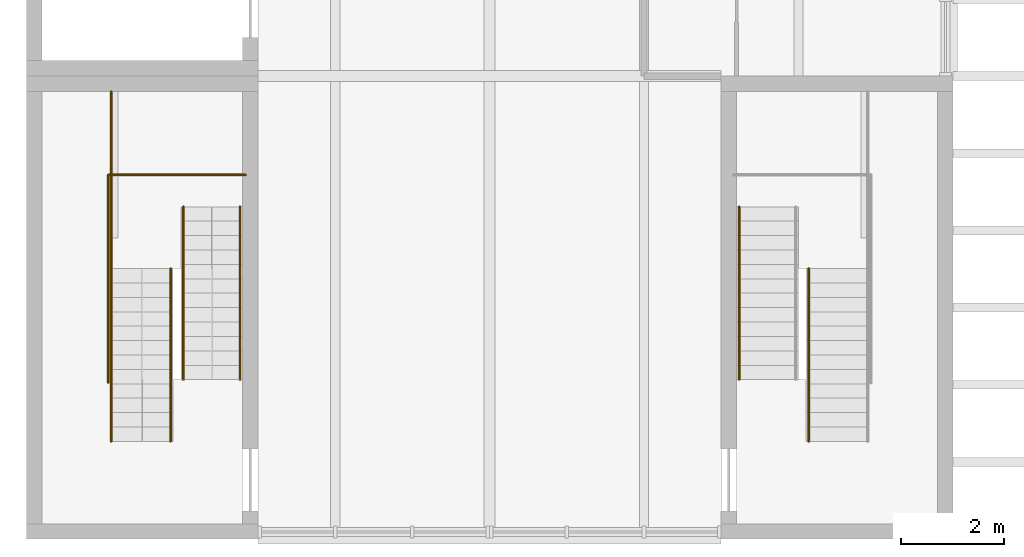
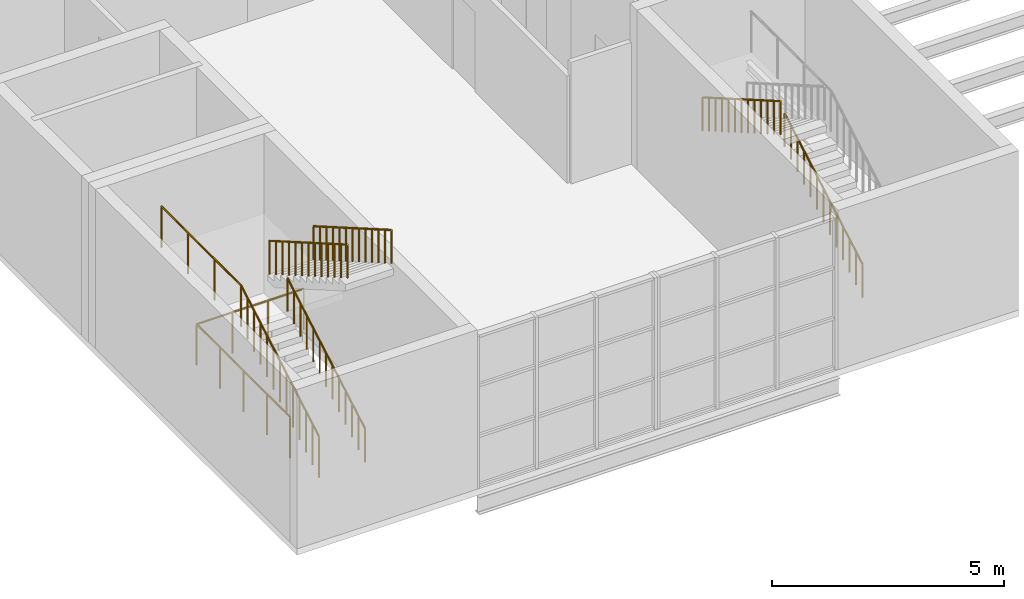
# One storey, part 48 of 57: 8 railings.
"""IFC4 building model written with IfcOpenShell, lengths in metres."""

from ifc_helpers import new_model, si_unit, direction, frame, origin, origin_2d, place, context, subcontext, project, spatial, circle, extrude, material, type_object, element, save


model = new_model("IFC4")

# Units and contexts
model_context = context("Model", 3, precision=1e-05, world=origin(), true_north=direction((0.0, 1.0)))
body_context = subcontext(model_context, "Body", "Model", "MODEL_VIEW")
ifc_project = project(units=[si_unit("LENGTHUNIT", "METRE"), si_unit("AREAUNIT", "SQUARE_METRE"), si_unit("VOLUMEUNIT", "CUBIC_METRE"), si_unit("PLANEANGLEUNIT", "RADIAN"), si_unit("MASSUNIT", "GRAM", prefix="KILO")], contexts=[model_context])

# Site, building, storey
site_placement = place(None, origin())
site = spatial("IfcSite", under=ifc_project, at=site_placement, CompositionType="ELEMENT")
building_placement = place(site_placement, origin())
building = spatial("IfcBuilding", under=site, at=building_placement, Name="Halyard Row Museum", CompositionType="ELEMENT")
storey_placement = place(building_placement, frame((0.0, 0.0, 5.0)))
storey = spatial("IfcBuildingStorey", under=building, at=storey_placement, Name="L01", CompositionType="ELEMENT", Elevation=5.0)

# Railings
ifc_material_1 = material(Name="Steel Grade 300", Category="steel")
railing_type_1 = type_object("IfcRailingType", Name="Guard GR2 steel balustrade 1100", PredefinedType="GUARDRAIL", material=ifc_material_1)
railing_1_placement = place(storey_placement, frame((1.64990234375, 1.89990234375, 0.16162109375)))
element("IfcRailing", 1, at=railing_1_placement, inside=storey, type_object=railing_type_1, Name="Guard GR088", PredefinedType="GUARDRAIL", context=body_context, shape_type="SweptSolid", body=[
    extrude(circle(Radius=0.02392578125, at=origin_2d()), frame((0.0, 0.0, 1.076171875), z_axis=(0.0, 0.866424426198, 0.49930823515), x_axis=(-1.0, 0.0, 0.0)), (0.0, 0.0, 1.0), 0.3232421875),
    extrude(circle(Radius=0.02392578125, at=origin_2d()), frame((0.0, 0.280029296875, 1.2373046875), z_axis=(0.0, 0.86609757561, 0.499874973892), x_axis=(-1.0, 0.0, 0.0)), (0.0, 0.0, 1.0), 0.3232421875),
    extrude(circle(Radius=0.02392578125, at=origin_2d()), frame((0.0, 0.56005859375, 1.39892578125), z_axis=(0.0, 0.86609757561, 0.499874973892), x_axis=(-1.0, 0.0, 0.0)), (0.0, 0.0, 1.0), 0.3232421875),
    extrude(circle(Radius=0.02392578125, at=origin_2d()), frame((0.0, 0.840087890625, 1.560546875), z_axis=(0.0, 0.866424426198, 0.49930823515), x_axis=(-1.0, 0.0, 0.0)), (0.0, 0.0, 1.0), 0.3232421875),
    extrude(circle(Radius=0.02392578125, at=origin_2d()), frame((0.0, 1.1201171875, 1.72216796875), z_axis=(0.0, 0.86609757561, 0.499874973892), x_axis=(-1.0, 0.0, 0.0)), (0.0, 0.0, 1.0), 0.3232421875),
    extrude(circle(Radius=0.02392578125, at=origin_2d()), frame((0.0, 1.400146484375, 1.8837890625), z_axis=(0.0, 0.86609757561, 0.499874973892), x_axis=(-1.0, 0.0, 0.0)), (0.0, 0.0, 1.0), 0.3232421875),
    extrude(circle(Radius=0.02392578125, at=origin_2d()), frame((0.0, 1.68017578125, 2.04541015625), z_axis=(0.0, 0.866424426198, 0.49930823515), x_axis=(-1.0, 0.0, 0.0)), (0.0, 0.0, 1.0), 0.3232421875),
    extrude(circle(Radius=0.02392578125, at=origin_2d()), frame((0.0, 1.960205078125, 2.20654296875), z_axis=(0.0, 0.865908710228, 0.500202064721), x_axis=(-1.0, 0.0, 0.0)), (0.0, 0.0, 1.0), 0.322998046875),
    extrude(circle(Radius=0.02392578125, at=origin_2d()), frame((0.0, 2.239990234375, 2.3681640625), z_axis=(0.0, 0.86609757561, 0.499874973892), x_axis=(-1.0, 0.0, 0.0)), (0.0, 0.0, 1.0), 0.3232421875),
    extrude(circle(Radius=0.02392578125, at=origin_2d()), frame((0.0, 2.52001953125, 2.52978515625), z_axis=(0.0, 0.866424426198, 0.49930823515), x_axis=(-1.0, 0.0, 0.0)), (0.0, 0.0, 1.0), 0.3232421875),
    extrude(circle(Radius=0.02392578125, at=origin_2d()), frame((0.0, 2.800048828125, 2.69140625), z_axis=(0.0, 0.86609757561, 0.499874973892), x_axis=(-1.0, 0.0, 0.0)), (0.0, 0.0, 1.0), 0.3232421875),
    extrude(circle(Radius=0.02392578125, at=origin_2d()), frame((0.0, 3.080078125, 2.85302734375), z_axis=(0.0, 0.86609757561, 0.499874973892), x_axis=(-1.0, 0.0, 0.0)), (0.0, 0.0, 1.0), 0.3232421875),
    extrude(circle(Radius=0.02099609375, at=origin_2d()), origin(), (0.0, 0.0, 1.0), 1.052001953125),
    extrude(circle(Radius=0.02099609375, at=origin_2d()), frame((0.0, 0.280029296875, 0.161376953125)), (0.0, 0.0, 1.0), 1.052001953125),
    extrude(circle(Radius=0.02099609375, at=origin_2d()), frame((0.0, 0.56005859375, 0.322998046875)), (0.0, 0.0, 1.0), 1.052001953125),
    extrude(circle(Radius=0.02099609375, at=origin_2d()), frame((0.0, 0.840087890625, 0.484619140625)), (0.0, 0.0, 1.0), 1.052001953125),
    extrude(circle(Radius=0.02099609375, at=origin_2d()), frame((0.0, 1.1201171875, 0.64599609375)), (0.0, 0.0, 1.0), 1.052001953125),
    extrude(circle(Radius=0.02099609375, at=origin_2d()), frame((0.0, 1.400146484375, 0.8076171875)), (0.0, 0.0, 1.0), 1.052001953125),
    extrude(circle(Radius=0.02099609375, at=origin_2d()), frame((0.0, 1.68017578125, 0.96923828125)), (0.0, 0.0, 1.0), 1.052001953125),
    extrude(circle(Radius=0.02099609375, at=origin_2d()), frame((0.0, 1.960205078125, 1.130615234375)), (0.0, 0.0, 1.0), 1.052001953125),
    extrude(circle(Radius=0.02099609375, at=origin_2d()), frame((0.0, 2.239990234375, 1.292236328125)), (0.0, 0.0, 1.0), 1.052001953125),
    extrude(circle(Radius=0.02099609375, at=origin_2d()), frame((0.0, 2.52001953125, 1.453857421875)), (0.0, 0.0, 1.0), 1.052001953125),
    extrude(circle(Radius=0.02099609375, at=origin_2d()), frame((0.0, 2.800048828125, 1.615234375)), (0.0, 0.0, 1.0), 1.052001953125),
    extrude(circle(Radius=0.02099609375, at=origin_2d()), frame((0.0, 3.080078125, 1.77685546875)), (0.0, 0.0, 1.0), 1.052001953125),
    extrude(circle(Radius=0.02099609375, at=origin_2d()), frame((0.0, 3.360107421875, 1.9384765625)), (0.0, 0.0, 1.0), 1.052001953125),
])
railing_2_placement = place(storey_placement, frame((1.64990234375, 5.260009765625, 2.10009765625)))
element("IfcRailing", 2, at=railing_2_placement, inside=storey, type_object=railing_type_1, Name="Guard GR089", PredefinedType="GUARDRAIL", context=body_context, shape_type="SweptSolid", body=[
    extrude(circle(Radius=0.02392578125, at=origin_2d()), frame((0.0, 0.0, 1.076171875), z_axis=(0.0, 1.0, 0.0), x_axis=(-1.0, 0.0, 0.0)), (0.0, 0.0, 1.0), 3.43994140625),
    extrude(circle(Radius=0.02099609375, at=origin_2d()), origin(), (0.0, 0.0, 1.0), 1.052001953125),
    extrude(circle(Radius=0.02099609375, at=origin_2d()), frame((0.0, 1.146728515625, 0.0)), (0.0, 0.0, 1.0), 1.052001953125),
    extrude(circle(Radius=0.02099609375, at=origin_2d()), frame((0.0, 2.293212890625, 0.0)), (0.0, 0.0, 1.0), 1.052001953125),
    extrude(circle(Radius=0.02099609375, at=origin_2d()), frame((0.0, 3.43994140625, 0.0)), (0.0, 0.0, 1.0), 1.052001953125),
])
railing_3_placement = place(storey_placement, frame((1.590087890625, 3.0400390625, 0.0)))
element("IfcRailing", 3, at=railing_3_placement, inside=storey, type_object=railing_type_1, Name="Guard GR176", PredefinedType="GUARDRAIL", context=body_context, shape_type="SweptSolid", body=[
    extrude(circle(Radius=0.02392578125, at=origin_2d()), frame((0.0, 0.0, 1.076171875), z_axis=(0.0, 1.0, 0.0), x_axis=(-1.0, 0.0, 0.0)), (0.0, 0.0, 1.0), 4.0400390625),
    extrude(circle(Radius=0.02392578125, at=origin_2d()), frame((0.0, 4.0400390625, 1.076171875), z_axis=(1.0, 0.0, 0.0), x_axis=(0.0, 1.0, 0.0)), (0.0, 0.0, 1.0), 2.669921875),
    extrude(circle(Radius=0.02099609375, at=origin_2d()), origin(), (0.0, 0.0, 1.0), 1.052001953125),
    extrude(circle(Radius=0.02099609375, at=origin_2d()), frame((0.0, 1.010009765625, 0.0)), (0.0, 0.0, 1.0), 1.052001953125),
    extrude(circle(Radius=0.02099609375, at=origin_2d()), frame((0.0, 2.02001953125, 0.0)), (0.0, 0.0, 1.0), 1.052001953125),
    extrude(circle(Radius=0.02099609375, at=origin_2d()), frame((0.0, 3.030029296875, 0.0)), (0.0, 0.0, 1.0), 1.052001953125),
    extrude(circle(Radius=0.02099609375, at=origin_2d()), frame((0.0, 4.0400390625, 0.0)), (0.0, 0.0, 1.0), 1.052001953125),
    extrude(circle(Radius=0.02099609375, at=origin_2d()), frame((0.889892578125, 4.0400390625, 0.0)), (0.0, 0.0, 1.0), 1.052001953125),
    extrude(circle(Radius=0.02099609375, at=origin_2d()), frame((1.780029296875, 4.0400390625, 0.0)), (0.0, 0.0, 1.0), 1.052001953125),
    extrude(circle(Radius=0.02099609375, at=origin_2d()), frame((2.669921875, 4.0400390625, 0.0)), (0.0, 0.0, 1.0), 1.052001953125),
])
ifc_material_2 = material(Name="Steel Grade 300", Category="steel")
railing_type_2 = type_object("IfcRailingType", Name="Handrail HR2 steel 900", PredefinedType="HANDRAIL", material=ifc_material_2)
railing_4_placement = place(storey_placement, frame((15.199951171875, 1.89990234375, 0.16162109375)))
element("IfcRailing", 4, at=railing_4_placement, inside=storey, type_object=railing_type_2, Name="Handrail HR115", PredefinedType="HANDRAIL", context=body_context, shape_type="SweptSolid", body=[
    extrude(circle(Radius=0.02392578125, at=origin_2d()), frame((0.0, 0.0, 0.8759765625), z_axis=(0.0, 0.866424426198, 0.49930823515), x_axis=(-1.0, 0.0, 0.0)), (0.0, 0.0, 1.0), 0.3232421875),
    extrude(circle(Radius=0.02392578125, at=origin_2d()), frame((0.0, 0.280029296875, 1.037109375), z_axis=(0.0, 0.86609757561, 0.499874973892), x_axis=(-1.0, 0.0, 0.0)), (0.0, 0.0, 1.0), 0.3232421875),
    extrude(circle(Radius=0.02392578125, at=origin_2d()), frame((0.0, 0.56005859375, 1.19873046875), z_axis=(0.0, 0.86609757561, 0.499874973892), x_axis=(-1.0, 0.0, 0.0)), (0.0, 0.0, 1.0), 0.3232421875),
    extrude(circle(Radius=0.02392578125, at=origin_2d()), frame((0.0, 0.840087890625, 1.3603515625), z_axis=(0.0, 0.866424426198, 0.49930823515), x_axis=(-1.0, 0.0, 0.0)), (0.0, 0.0, 1.0), 0.3232421875),
    extrude(circle(Radius=0.02392578125, at=origin_2d()), frame((0.0, 1.1201171875, 1.52197265625), z_axis=(0.0, 0.86609757561, 0.499874973892), x_axis=(-1.0, 0.0, 0.0)), (0.0, 0.0, 1.0), 0.3232421875),
    extrude(circle(Radius=0.02392578125, at=origin_2d()), frame((0.0, 1.400146484375, 1.68359375), z_axis=(0.0, 0.86609757561, 0.499874973892), x_axis=(-1.0, 0.0, 0.0)), (0.0, 0.0, 1.0), 0.3232421875),
    extrude(circle(Radius=0.02392578125, at=origin_2d()), frame((0.0, 1.68017578125, 1.84521484375), z_axis=(0.0, 0.866424426198, 0.49930823515), x_axis=(-1.0, 0.0, 0.0)), (0.0, 0.0, 1.0), 0.3232421875),
    extrude(circle(Radius=0.02392578125, at=origin_2d()), frame((0.0, 1.960205078125, 2.00634765625), z_axis=(0.0, 0.865908710228, 0.500202064721), x_axis=(-1.0, 0.0, 0.0)), (0.0, 0.0, 1.0), 0.322998046875),
    extrude(circle(Radius=0.02392578125, at=origin_2d()), frame((0.0, 2.239990234375, 2.16796875), z_axis=(0.0, 0.86609757561, 0.499874973892), x_axis=(-1.0, 0.0, 0.0)), (0.0, 0.0, 1.0), 0.3232421875),
    extrude(circle(Radius=0.02392578125, at=origin_2d()), frame((0.0, 2.52001953125, 2.32958984375), z_axis=(0.0, 0.866424426198, 0.49930823515), x_axis=(-1.0, 0.0, 0.0)), (0.0, 0.0, 1.0), 0.3232421875),
    extrude(circle(Radius=0.02392578125, at=origin_2d()), frame((0.0, 2.800048828125, 2.4912109375), z_axis=(0.0, 0.86609757561, 0.499874973892), x_axis=(-1.0, 0.0, 0.0)), (0.0, 0.0, 1.0), 0.3232421875),
    extrude(circle(Radius=0.02392578125, at=origin_2d()), frame((0.0, 3.080078125, 2.65283203125), z_axis=(0.0, 0.86609757561, 0.499874973892), x_axis=(-1.0, 0.0, 0.0)), (0.0, 0.0, 1.0), 0.3232421875),
    extrude(circle(Radius=0.02099609375, at=origin_2d()), origin(), (0.0, 0.0, 1.0), 0.851806640625),
    extrude(circle(Radius=0.02099609375, at=origin_2d()), frame((0.0, 0.280029296875, 0.161376953125)), (0.0, 0.0, 1.0), 0.851806640625),
    extrude(circle(Radius=0.02099609375, at=origin_2d()), frame((0.0, 0.56005859375, 0.322998046875)), (0.0, 0.0, 1.0), 0.851806640625),
    extrude(circle(Radius=0.02099609375, at=origin_2d()), frame((0.0, 0.840087890625, 0.484619140625)), (0.0, 0.0, 1.0), 0.851806640625),
    extrude(circle(Radius=0.02099609375, at=origin_2d()), frame((0.0, 1.1201171875, 0.64599609375)), (0.0, 0.0, 1.0), 0.851806640625),
    extrude(circle(Radius=0.02099609375, at=origin_2d()), frame((0.0, 1.400146484375, 0.8076171875)), (0.0, 0.0, 1.0), 0.851806640625),
    extrude(circle(Radius=0.02099609375, at=origin_2d()), frame((0.0, 1.68017578125, 0.96923828125)), (0.0, 0.0, 1.0), 0.851806640625),
    extrude(circle(Radius=0.02099609375, at=origin_2d()), frame((0.0, 1.960205078125, 1.130615234375)), (0.0, 0.0, 1.0), 0.851806640625),
    extrude(circle(Radius=0.02099609375, at=origin_2d()), frame((0.0, 2.239990234375, 1.292236328125)), (0.0, 0.0, 1.0), 0.851806640625),
    extrude(circle(Radius=0.02099609375, at=origin_2d()), frame((0.0, 2.52001953125, 1.453857421875)), (0.0, 0.0, 1.0), 0.851806640625),
    extrude(circle(Radius=0.02099609375, at=origin_2d()), frame((0.0, 2.800048828125, 1.615234375)), (0.0, 0.0, 1.0), 0.851806640625),
    extrude(circle(Radius=0.02099609375, at=origin_2d()), frame((0.0, 3.080078125, 1.77685546875)), (0.0, 0.0, 1.0), 0.851806640625),
    extrude(circle(Radius=0.02099609375, at=origin_2d()), frame((0.0, 3.360107421875, 1.9384765625)), (0.0, 0.0, 1.0), 0.851806640625),
])
railing_5_placement = place(storey_placement, frame((13.85009765625, 6.4599609375, 2.261474609375)))
element("IfcRailing", 5, at=railing_5_placement, inside=storey, type_object=railing_type_2, Name="Handrail HR116", PredefinedType="HANDRAIL", context=body_context, shape_type="SweptSolid", body=[
    extrude(circle(Radius=0.02392578125, at=origin_2d()), frame((0.0, 0.0, 0.8759765625), z_axis=(0.0, -0.86609757561, 0.499874973892), x_axis=(1.0, 0.0, 0.0)), (0.0, 0.0, 1.0), 0.3232421875),
    extrude(circle(Radius=0.02392578125, at=origin_2d()), frame((0.0, -0.280029296875, 1.03759765625), z_axis=(0.0, -0.86609757561, 0.499874973892), x_axis=(1.0, 0.0, 0.0)), (0.0, 0.0, 1.0), 0.3232421875),
    extrude(circle(Radius=0.02392578125, at=origin_2d()), frame((0.0, -0.56005859375, 1.19921875), z_axis=(0.0, -0.866235917577, 0.499635202023), x_axis=(1.0, 0.0, 0.0)), (0.0, 0.0, 1.0), 0.322998046875),
    extrude(circle(Radius=0.02392578125, at=origin_2d()), frame((0.0, -0.83984375, 1.3603515625), z_axis=(0.0, -0.86609757561, 0.499874973892), x_axis=(1.0, 0.0, 0.0)), (0.0, 0.0, 1.0), 0.3232421875),
    extrude(circle(Radius=0.02392578125, at=origin_2d()), frame((0.0, -1.119873046875, 1.52197265625), z_axis=(0.0, -0.86609757561, 0.499874973892), x_axis=(1.0, 0.0, 0.0)), (0.0, 0.0, 1.0), 0.3232421875),
    extrude(circle(Radius=0.02392578125, at=origin_2d()), frame((0.0, -1.39990234375, 1.68359375), z_axis=(0.0, -0.866424426198, 0.49930823515), x_axis=(1.0, 0.0, 0.0)), (0.0, 0.0, 1.0), 0.3232421875),
    extrude(circle(Radius=0.02392578125, at=origin_2d()), frame((0.0, -1.679931640625, 1.84521484375), z_axis=(0.0, -0.86609757561, 0.499874973892), x_axis=(1.0, 0.0, 0.0)), (0.0, 0.0, 1.0), 0.3232421875),
    extrude(circle(Radius=0.02392578125, at=origin_2d()), frame((0.0, -1.9599609375, 2.0068359375), z_axis=(0.0, -0.86609757561, 0.499874973892), x_axis=(1.0, 0.0, 0.0)), (0.0, 0.0, 1.0), 0.3232421875),
    extrude(circle(Radius=0.02392578125, at=origin_2d()), frame((0.0, -2.239990234375, 2.16845703125), z_axis=(0.0, -0.866424426198, 0.49930823515), x_axis=(1.0, 0.0, 0.0)), (0.0, 0.0, 1.0), 0.3232421875),
    extrude(circle(Radius=0.02392578125, at=origin_2d()), frame((0.0, -2.52001953125, 2.32958984375), z_axis=(0.0, -0.86609757561, 0.499874973892), x_axis=(1.0, 0.0, 0.0)), (0.0, 0.0, 1.0), 0.3232421875),
    extrude(circle(Radius=0.02392578125, at=origin_2d()), frame((0.0, -2.800048828125, 2.4912109375), z_axis=(0.0, -0.86609757561, 0.499874973892), x_axis=(1.0, 0.0, 0.0)), (0.0, 0.0, 1.0), 0.3232421875),
    extrude(circle(Radius=0.02392578125, at=origin_2d()), frame((0.0, -3.080078125, 2.65283203125), z_axis=(0.0, -0.866235917577, 0.499635202023), x_axis=(1.0, 0.0, 0.0)), (0.0, 0.0, 1.0), 0.322998046875),
    extrude(circle(Radius=0.02099609375, at=origin_2d()), origin(), (0.0, 0.0, 1.0), 0.851806640625),
    extrude(circle(Radius=0.02099609375, at=origin_2d()), frame((0.0, -0.280029296875, 0.16162109375)), (0.0, 0.0, 1.0), 0.851806640625),
    extrude(circle(Radius=0.02099609375, at=origin_2d()), frame((0.0, -0.56005859375, 0.3232421875)), (0.0, 0.0, 1.0), 0.851806640625),
    extrude(circle(Radius=0.02099609375, at=origin_2d()), frame((0.0, -0.83984375, 0.484619140625)), (0.0, 0.0, 1.0), 0.851806640625),
    extrude(circle(Radius=0.02099609375, at=origin_2d()), frame((0.0, -1.119873046875, 0.646240234375)), (0.0, 0.0, 1.0), 0.851806640625),
    extrude(circle(Radius=0.02099609375, at=origin_2d()), frame((0.0, -1.39990234375, 0.807861328125)), (0.0, 0.0, 1.0), 0.851806640625),
    extrude(circle(Radius=0.02099609375, at=origin_2d()), frame((0.0, -1.679931640625, 0.96923828125)), (0.0, 0.0, 1.0), 0.851806640625),
    extrude(circle(Radius=0.02099609375, at=origin_2d()), frame((0.0, -1.9599609375, 1.130859375)), (0.0, 0.0, 1.0), 0.851806640625),
    extrude(circle(Radius=0.02099609375, at=origin_2d()), frame((0.0, -2.239990234375, 1.29248046875)), (0.0, 0.0, 1.0), 0.851806640625),
    extrude(circle(Radius=0.02099609375, at=origin_2d()), frame((0.0, -2.52001953125, 1.453857421875)), (0.0, 0.0, 1.0), 0.851806640625),
    extrude(circle(Radius=0.02099609375, at=origin_2d()), frame((0.0, -2.800048828125, 1.615478515625)), (0.0, 0.0, 1.0), 0.851806640625),
    extrude(circle(Radius=0.02099609375, at=origin_2d()), frame((0.0, -3.080078125, 1.777099609375)), (0.0, 0.0, 1.0), 0.851806640625),
    extrude(circle(Radius=0.02099609375, at=origin_2d()), frame((0.0, -3.35986328125, 1.9384765625)), (0.0, 0.0, 1.0), 0.851806640625),
])
railing_6_placement = place(storey_placement, frame((2.800048828125, 1.89990234375, 0.16162109375)))
element("IfcRailing", 6, at=railing_6_placement, inside=storey, type_object=railing_type_2, Name="Handrail HR127", PredefinedType="HANDRAIL", context=body_context, shape_type="SweptSolid", body=[
    extrude(circle(Radius=0.02392578125, at=origin_2d()), frame((0.0, 0.0, 0.8759765625), z_axis=(0.0, 0.866424426198, 0.49930823515), x_axis=(-1.0, 0.0, 0.0)), (0.0, 0.0, 1.0), 0.3232421875),
    extrude(circle(Radius=0.02392578125, at=origin_2d()), frame((0.0, 0.280029296875, 1.037109375), z_axis=(0.0, 0.86609757561, 0.499874973892), x_axis=(-1.0, 0.0, 0.0)), (0.0, 0.0, 1.0), 0.3232421875),
    extrude(circle(Radius=0.02392578125, at=origin_2d()), frame((0.0, 0.56005859375, 1.19873046875), z_axis=(0.0, 0.86609757561, 0.499874973892), x_axis=(-1.0, 0.0, 0.0)), (0.0, 0.0, 1.0), 0.3232421875),
    extrude(circle(Radius=0.02392578125, at=origin_2d()), frame((0.0, 0.840087890625, 1.3603515625), z_axis=(0.0, 0.866424426198, 0.49930823515), x_axis=(-1.0, 0.0, 0.0)), (0.0, 0.0, 1.0), 0.3232421875),
    extrude(circle(Radius=0.02392578125, at=origin_2d()), frame((0.0, 1.1201171875, 1.52197265625), z_axis=(0.0, 0.86609757561, 0.499874973892), x_axis=(-1.0, 0.0, 0.0)), (0.0, 0.0, 1.0), 0.3232421875),
    extrude(circle(Radius=0.02392578125, at=origin_2d()), frame((0.0, 1.400146484375, 1.68359375), z_axis=(0.0, 0.86609757561, 0.499874973892), x_axis=(-1.0, 0.0, 0.0)), (0.0, 0.0, 1.0), 0.3232421875),
    extrude(circle(Radius=0.02392578125, at=origin_2d()), frame((0.0, 1.68017578125, 1.84521484375), z_axis=(0.0, 0.866424426198, 0.49930823515), x_axis=(-1.0, 0.0, 0.0)), (0.0, 0.0, 1.0), 0.3232421875),
    extrude(circle(Radius=0.02392578125, at=origin_2d()), frame((0.0, 1.960205078125, 2.00634765625), z_axis=(0.0, 0.865908710228, 0.500202064721), x_axis=(-1.0, 0.0, 0.0)), (0.0, 0.0, 1.0), 0.322998046875),
    extrude(circle(Radius=0.02392578125, at=origin_2d()), frame((0.0, 2.239990234375, 2.16796875), z_axis=(0.0, 0.86609757561, 0.499874973892), x_axis=(-1.0, 0.0, 0.0)), (0.0, 0.0, 1.0), 0.3232421875),
    extrude(circle(Radius=0.02392578125, at=origin_2d()), frame((0.0, 2.52001953125, 2.32958984375), z_axis=(0.0, 0.866424426198, 0.49930823515), x_axis=(-1.0, 0.0, 0.0)), (0.0, 0.0, 1.0), 0.3232421875),
    extrude(circle(Radius=0.02392578125, at=origin_2d()), frame((0.0, 2.800048828125, 2.4912109375), z_axis=(0.0, 0.86609757561, 0.499874973892), x_axis=(-1.0, 0.0, 0.0)), (0.0, 0.0, 1.0), 0.3232421875),
    extrude(circle(Radius=0.02392578125, at=origin_2d()), frame((0.0, 3.080078125, 2.65283203125), z_axis=(0.0, 0.86609757561, 0.499874973892), x_axis=(-1.0, 0.0, 0.0)), (0.0, 0.0, 1.0), 0.3232421875),
    extrude(circle(Radius=0.02099609375, at=origin_2d()), origin(), (0.0, 0.0, 1.0), 0.851806640625),
    extrude(circle(Radius=0.02099609375, at=origin_2d()), frame((0.0, 0.280029296875, 0.161376953125)), (0.0, 0.0, 1.0), 0.851806640625),
    extrude(circle(Radius=0.02099609375, at=origin_2d()), frame((0.0, 0.56005859375, 0.322998046875)), (0.0, 0.0, 1.0), 0.851806640625),
    extrude(circle(Radius=0.02099609375, at=origin_2d()), frame((0.0, 0.840087890625, 0.484619140625)), (0.0, 0.0, 1.0), 0.851806640625),
    extrude(circle(Radius=0.02099609375, at=origin_2d()), frame((0.0, 1.1201171875, 0.64599609375)), (0.0, 0.0, 1.0), 0.851806640625),
    extrude(circle(Radius=0.02099609375, at=origin_2d()), frame((0.0, 1.400146484375, 0.8076171875)), (0.0, 0.0, 1.0), 0.851806640625),
    extrude(circle(Radius=0.02099609375, at=origin_2d()), frame((0.0, 1.68017578125, 0.96923828125)), (0.0, 0.0, 1.0), 0.851806640625),
    extrude(circle(Radius=0.02099609375, at=origin_2d()), frame((0.0, 1.960205078125, 1.130615234375)), (0.0, 0.0, 1.0), 0.851806640625),
    extrude(circle(Radius=0.02099609375, at=origin_2d()), frame((0.0, 2.239990234375, 1.292236328125)), (0.0, 0.0, 1.0), 0.851806640625),
    extrude(circle(Radius=0.02099609375, at=origin_2d()), frame((0.0, 2.52001953125, 1.453857421875)), (0.0, 0.0, 1.0), 0.851806640625),
    extrude(circle(Radius=0.02099609375, at=origin_2d()), frame((0.0, 2.800048828125, 1.615234375)), (0.0, 0.0, 1.0), 0.851806640625),
    extrude(circle(Radius=0.02099609375, at=origin_2d()), frame((0.0, 3.080078125, 1.77685546875)), (0.0, 0.0, 1.0), 0.851806640625),
    extrude(circle(Radius=0.02099609375, at=origin_2d()), frame((0.0, 3.360107421875, 1.9384765625)), (0.0, 0.0, 1.0), 0.851806640625),
])
railing_7_placement = place(storey_placement, frame((4.14990234375, 6.4599609375, 2.261474609375)))
element("IfcRailing", 7, at=railing_7_placement, inside=storey, type_object=railing_type_2, Name="Handrail HR128", PredefinedType="HANDRAIL", context=body_context, shape_type="SweptSolid", body=[
    extrude(circle(Radius=0.02392578125, at=origin_2d()), frame((0.0, 0.0, 0.8759765625), z_axis=(0.0, -0.86609757561, 0.499874973892), x_axis=(1.0, 0.0, 0.0)), (0.0, 0.0, 1.0), 0.3232421875),
    extrude(circle(Radius=0.02392578125, at=origin_2d()), frame((0.0, -0.280029296875, 1.03759765625), z_axis=(0.0, -0.86609757561, 0.499874973892), x_axis=(1.0, 0.0, 0.0)), (0.0, 0.0, 1.0), 0.3232421875),
    extrude(circle(Radius=0.02392578125, at=origin_2d()), frame((0.0, -0.56005859375, 1.19921875), z_axis=(0.0, -0.866235917577, 0.499635202023), x_axis=(1.0, 0.0, 0.0)), (0.0, 0.0, 1.0), 0.322998046875),
    extrude(circle(Radius=0.02392578125, at=origin_2d()), frame((0.0, -0.83984375, 1.3603515625), z_axis=(0.0, -0.86609757561, 0.499874973892), x_axis=(1.0, 0.0, 0.0)), (0.0, 0.0, 1.0), 0.3232421875),
    extrude(circle(Radius=0.02392578125, at=origin_2d()), frame((0.0, -1.119873046875, 1.52197265625), z_axis=(0.0, -0.86609757561, 0.499874973892), x_axis=(1.0, 0.0, 0.0)), (0.0, 0.0, 1.0), 0.3232421875),
    extrude(circle(Radius=0.02392578125, at=origin_2d()), frame((0.0, -1.39990234375, 1.68359375), z_axis=(0.0, -0.866424426198, 0.49930823515), x_axis=(1.0, 0.0, 0.0)), (0.0, 0.0, 1.0), 0.3232421875),
    extrude(circle(Radius=0.02392578125, at=origin_2d()), frame((0.0, -1.679931640625, 1.84521484375), z_axis=(0.0, -0.86609757561, 0.499874973892), x_axis=(1.0, 0.0, 0.0)), (0.0, 0.0, 1.0), 0.3232421875),
    extrude(circle(Radius=0.02392578125, at=origin_2d()), frame((0.0, -1.9599609375, 2.0068359375), z_axis=(0.0, -0.86609757561, 0.499874973892), x_axis=(1.0, 0.0, 0.0)), (0.0, 0.0, 1.0), 0.3232421875),
    extrude(circle(Radius=0.02392578125, at=origin_2d()), frame((0.0, -2.239990234375, 2.16845703125), z_axis=(0.0, -0.866424426198, 0.49930823515), x_axis=(1.0, 0.0, 0.0)), (0.0, 0.0, 1.0), 0.3232421875),
    extrude(circle(Radius=0.02392578125, at=origin_2d()), frame((0.0, -2.52001953125, 2.32958984375), z_axis=(0.0, -0.86609757561, 0.499874973892), x_axis=(1.0, 0.0, 0.0)), (0.0, 0.0, 1.0), 0.3232421875),
    extrude(circle(Radius=0.02392578125, at=origin_2d()), frame((0.0, -2.800048828125, 2.4912109375), z_axis=(0.0, -0.86609757561, 0.499874973892), x_axis=(1.0, 0.0, 0.0)), (0.0, 0.0, 1.0), 0.3232421875),
    extrude(circle(Radius=0.02392578125, at=origin_2d()), frame((0.0, -3.080078125, 2.65283203125), z_axis=(0.0, -0.866235917577, 0.499635202023), x_axis=(1.0, 0.0, 0.0)), (0.0, 0.0, 1.0), 0.322998046875),
    extrude(circle(Radius=0.02099609375, at=origin_2d()), origin(), (0.0, 0.0, 1.0), 0.851806640625),
    extrude(circle(Radius=0.02099609375, at=origin_2d()), frame((0.0, -0.280029296875, 0.16162109375)), (0.0, 0.0, 1.0), 0.851806640625),
    extrude(circle(Radius=0.02099609375, at=origin_2d()), frame((0.0, -0.56005859375, 0.3232421875)), (0.0, 0.0, 1.0), 0.851806640625),
    extrude(circle(Radius=0.02099609375, at=origin_2d()), frame((0.0, -0.83984375, 0.484619140625)), (0.0, 0.0, 1.0), 0.851806640625),
    extrude(circle(Radius=0.02099609375, at=origin_2d()), frame((0.0, -1.119873046875, 0.646240234375)), (0.0, 0.0, 1.0), 0.851806640625),
    extrude(circle(Radius=0.02099609375, at=origin_2d()), frame((0.0, -1.39990234375, 0.807861328125)), (0.0, 0.0, 1.0), 0.851806640625),
    extrude(circle(Radius=0.02099609375, at=origin_2d()), frame((0.0, -1.679931640625, 0.96923828125)), (0.0, 0.0, 1.0), 0.851806640625),
    extrude(circle(Radius=0.02099609375, at=origin_2d()), frame((0.0, -1.9599609375, 1.130859375)), (0.0, 0.0, 1.0), 0.851806640625),
    extrude(circle(Radius=0.02099609375, at=origin_2d()), frame((0.0, -2.239990234375, 1.29248046875)), (0.0, 0.0, 1.0), 0.851806640625),
    extrude(circle(Radius=0.02099609375, at=origin_2d()), frame((0.0, -2.52001953125, 1.453857421875)), (0.0, 0.0, 1.0), 0.851806640625),
    extrude(circle(Radius=0.02099609375, at=origin_2d()), frame((0.0, -2.800048828125, 1.615478515625)), (0.0, 0.0, 1.0), 0.851806640625),
    extrude(circle(Radius=0.02099609375, at=origin_2d()), frame((0.0, -3.080078125, 1.777099609375)), (0.0, 0.0, 1.0), 0.851806640625),
    extrude(circle(Radius=0.02099609375, at=origin_2d()), frame((0.0, -3.35986328125, 1.9384765625)), (0.0, 0.0, 1.0), 0.851806640625),
])
railing_8_placement = place(storey_placement, frame((3.050048828125, 6.4599609375, 2.261474609375)))
element("IfcRailing", 8, at=railing_8_placement, inside=storey, type_object=railing_type_2, Name="Handrail HR129", PredefinedType="HANDRAIL", context=body_context, shape_type="SweptSolid", body=[
    extrude(circle(Radius=0.02392578125, at=origin_2d()), frame((0.0, 0.0, 0.8759765625), z_axis=(0.0, -0.86609757561, 0.499874973892), x_axis=(1.0, 0.0, 0.0)), (0.0, 0.0, 1.0), 0.3232421875),
    extrude(circle(Radius=0.02392578125, at=origin_2d()), frame((0.0, -0.280029296875, 1.03759765625), z_axis=(0.0, -0.86609757561, 0.499874973892), x_axis=(1.0, 0.0, 0.0)), (0.0, 0.0, 1.0), 0.3232421875),
    extrude(circle(Radius=0.02392578125, at=origin_2d()), frame((0.0, -0.56005859375, 1.19921875), z_axis=(0.0, -0.866235917577, 0.499635202023), x_axis=(1.0, 0.0, 0.0)), (0.0, 0.0, 1.0), 0.322998046875),
    extrude(circle(Radius=0.02392578125, at=origin_2d()), frame((0.0, -0.83984375, 1.3603515625), z_axis=(0.0, -0.86609757561, 0.499874973892), x_axis=(1.0, 0.0, 0.0)), (0.0, 0.0, 1.0), 0.3232421875),
    extrude(circle(Radius=0.02392578125, at=origin_2d()), frame((0.0, -1.119873046875, 1.52197265625), z_axis=(0.0, -0.86609757561, 0.499874973892), x_axis=(1.0, 0.0, 0.0)), (0.0, 0.0, 1.0), 0.3232421875),
    extrude(circle(Radius=0.02392578125, at=origin_2d()), frame((0.0, -1.39990234375, 1.68359375), z_axis=(0.0, -0.866424426198, 0.49930823515), x_axis=(1.0, 0.0, 0.0)), (0.0, 0.0, 1.0), 0.3232421875),
    extrude(circle(Radius=0.02392578125, at=origin_2d()), frame((0.0, -1.679931640625, 1.84521484375), z_axis=(0.0, -0.86609757561, 0.499874973892), x_axis=(1.0, 0.0, 0.0)), (0.0, 0.0, 1.0), 0.3232421875),
    extrude(circle(Radius=0.02392578125, at=origin_2d()), frame((0.0, -1.9599609375, 2.0068359375), z_axis=(0.0, -0.86609757561, 0.499874973892), x_axis=(1.0, 0.0, 0.0)), (0.0, 0.0, 1.0), 0.3232421875),
    extrude(circle(Radius=0.02392578125, at=origin_2d()), frame((0.0, -2.239990234375, 2.16845703125), z_axis=(0.0, -0.866424426198, 0.49930823515), x_axis=(1.0, 0.0, 0.0)), (0.0, 0.0, 1.0), 0.3232421875),
    extrude(circle(Radius=0.02392578125, at=origin_2d()), frame((0.0, -2.52001953125, 2.32958984375), z_axis=(0.0, -0.86609757561, 0.499874973892), x_axis=(1.0, 0.0, 0.0)), (0.0, 0.0, 1.0), 0.3232421875),
    extrude(circle(Radius=0.02392578125, at=origin_2d()), frame((0.0, -2.800048828125, 2.4912109375), z_axis=(0.0, -0.86609757561, 0.499874973892), x_axis=(1.0, 0.0, 0.0)), (0.0, 0.0, 1.0), 0.3232421875),
    extrude(circle(Radius=0.02392578125, at=origin_2d()), frame((0.0, -3.080078125, 2.65283203125), z_axis=(0.0, -0.866235917577, 0.499635202023), x_axis=(1.0, 0.0, 0.0)), (0.0, 0.0, 1.0), 0.322998046875),
    extrude(circle(Radius=0.02099609375, at=origin_2d()), origin(), (0.0, 0.0, 1.0), 0.851806640625),
    extrude(circle(Radius=0.02099609375, at=origin_2d()), frame((0.0, -0.280029296875, 0.16162109375)), (0.0, 0.0, 1.0), 0.851806640625),
    extrude(circle(Radius=0.02099609375, at=origin_2d()), frame((0.0, -0.56005859375, 0.3232421875)), (0.0, 0.0, 1.0), 0.851806640625),
    extrude(circle(Radius=0.02099609375, at=origin_2d()), frame((0.0, -0.83984375, 0.484619140625)), (0.0, 0.0, 1.0), 0.851806640625),
    extrude(circle(Radius=0.02099609375, at=origin_2d()), frame((0.0, -1.119873046875, 0.646240234375)), (0.0, 0.0, 1.0), 0.851806640625),
    extrude(circle(Radius=0.02099609375, at=origin_2d()), frame((0.0, -1.39990234375, 0.807861328125)), (0.0, 0.0, 1.0), 0.851806640625),
    extrude(circle(Radius=0.02099609375, at=origin_2d()), frame((0.0, -1.679931640625, 0.96923828125)), (0.0, 0.0, 1.0), 0.851806640625),
    extrude(circle(Radius=0.02099609375, at=origin_2d()), frame((0.0, -1.9599609375, 1.130859375)), (0.0, 0.0, 1.0), 0.851806640625),
    extrude(circle(Radius=0.02099609375, at=origin_2d()), frame((0.0, -2.239990234375, 1.29248046875)), (0.0, 0.0, 1.0), 0.851806640625),
    extrude(circle(Radius=0.02099609375, at=origin_2d()), frame((0.0, -2.52001953125, 1.453857421875)), (0.0, 0.0, 1.0), 0.851806640625),
    extrude(circle(Radius=0.02099609375, at=origin_2d()), frame((0.0, -2.800048828125, 1.615478515625)), (0.0, 0.0, 1.0), 0.851806640625),
    extrude(circle(Radius=0.02099609375, at=origin_2d()), frame((0.0, -3.080078125, 1.777099609375)), (0.0, 0.0, 1.0), 0.851806640625),
    extrude(circle(Radius=0.02099609375, at=origin_2d()), frame((0.0, -3.35986328125, 1.9384765625)), (0.0, 0.0, 1.0), 0.851806640625),
])

save(model, "model.ifc")
